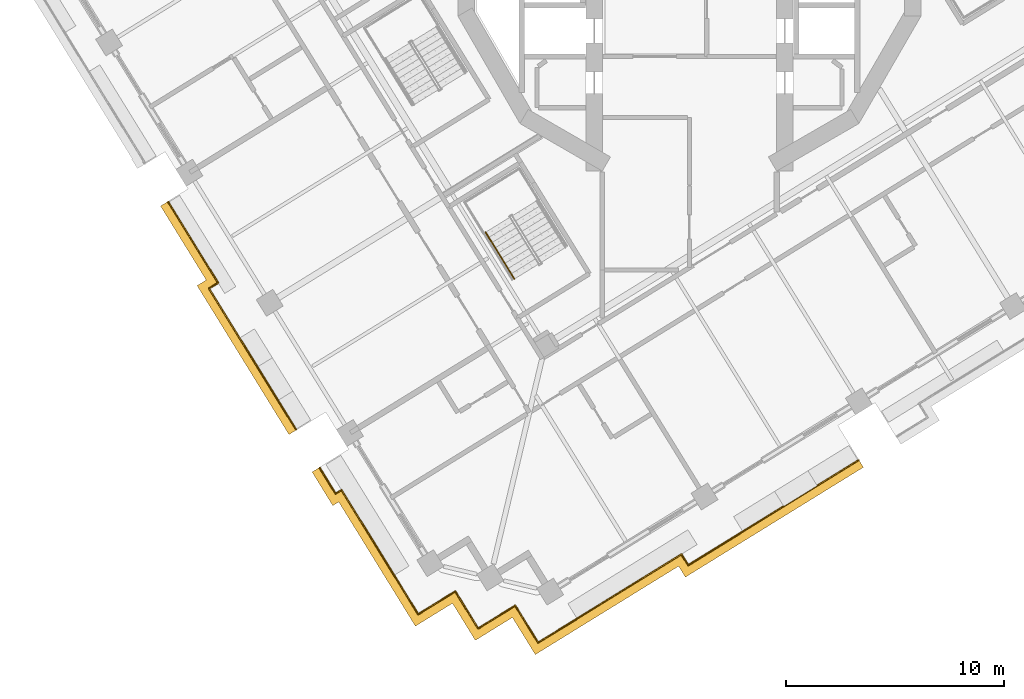
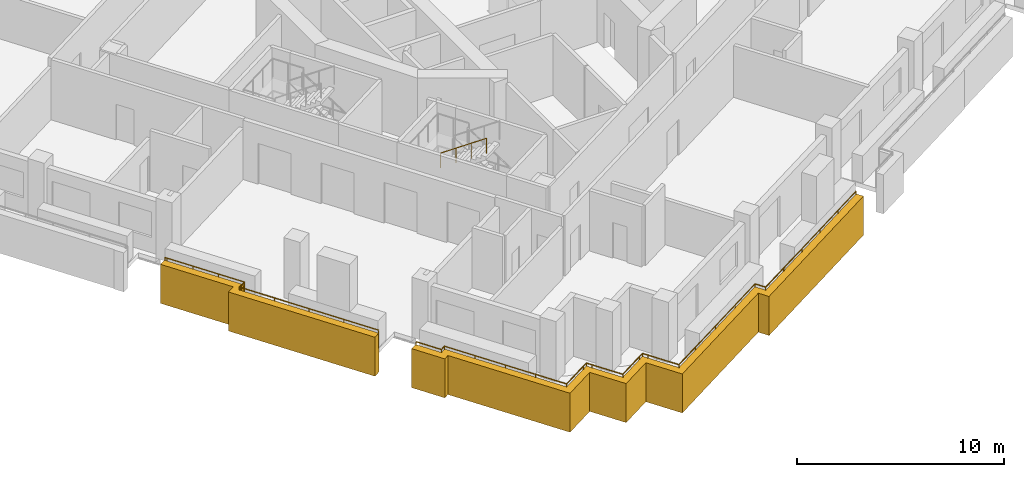
# One storey, part 12 of 20: 4 railings, 2 coverings.
"""IFC4 building model written with IfcOpenShell, lengths in metres."""

from ifc_helpers import new_model, si_unit, direction, frame, origin, origin_2d, place, context, subcontext, project, spatial, polyline, circle, outline, extrude, material, type_object, element, save


model = new_model("IFC4")

# Units and contexts
model_context = context("Model", 3, precision=1e-05, world=origin(), true_north=direction((0.0, 1.0)))
body_context = subcontext(model_context, "Body", "Model", "MODEL_VIEW")
ifc_project = project(units=[si_unit("LENGTHUNIT", "METRE"), si_unit("AREAUNIT", "SQUARE_METRE"), si_unit("VOLUMEUNIT", "CUBIC_METRE"), si_unit("PLANEANGLEUNIT", "RADIAN"), si_unit("MASSUNIT", "GRAM", prefix="KILO")], contexts=[model_context])

# Site, building, storey
site_placement = place(None, origin())
site = spatial("IfcSite", under=ifc_project, at=site_placement, CompositionType="ELEMENT")
building_placement = place(site_placement, origin())
building = spatial("IfcBuilding", under=site, at=building_placement, Name="Cantera Rosa Tower", CompositionType="ELEMENT")
storey_placement = place(building_placement, frame((0.0, 0.0, 159.0)))
storey = spatial("IfcBuildingStorey", under=building, at=storey_placement, Name="L34", CompositionType="ELEMENT", Elevation=159.0)

# Railings
ifc_material_1 = material(Name="Stainless steel and laminated glass", Category="steel")
railing_type_1 = type_object("IfcRailingType", Name="GUARD 1100", PredefinedType="BALUSTRADE", material=ifc_material_1)
railing_1_placement = place(storey_placement, frame((-12.44873046875, -30.2958984375, 0.0)))
element("IfcRailing", 1, at=railing_1_placement, inside=storey, type_object=railing_type_1, Name="GUARD L34-1", PredefinedType="BALUSTRADE", context=body_context, shape_type="SweptSolid", body=[
    extrude(circle(Radius=0.030029296875, at=origin_2d()), frame((0.0, 0.0, 1.070068359375), z_axis=(-0.524994468487, 0.851105638601, 0.0), x_axis=(-0.851105638601, -0.524994468487, 0.0)), (0.0, 0.0, 1.0), 1.7001953125),
    extrude(circle(Radius=0.030029296875, at=origin_2d()), frame((-0.892578125, 1.447021484375, 1.070068359375), z_axis=(-0.524980117429, 0.851114490715, 0.0), x_axis=(-0.851114490715, -0.524980117429, 0.0)), (0.0, 0.0, 1.0), 4.998291015625),
    extrude(circle(Radius=0.030029296875, at=origin_2d()), frame((-3.5166015625, 5.701171875, 1.070068359375), z_axis=(-0.851266981661, -0.524732813852, 0.0), x_axis=(0.524732813852, -0.851266981661, 0.0)), (0.0, 0.0, 1.0), 0.321533203125),
    extrude(circle(Radius=0.030029296875, at=origin_2d()), frame((-3.790283203125, 5.532470703125, 1.070068359375), z_axis=(-0.524958614505, 0.851127753664, 0.0), x_axis=(-0.851127753664, -0.524958614505, 0.0)), (0.0, 0.0, 1.0), 1.391357421875),
    extrude(circle(Radius=0.02490234375, at=origin_2d()), origin(), (0.0, 0.0, 1.0), 1.0400390625),
    extrude(circle(Radius=0.02490234375, at=origin_2d()), frame((-0.892578125, 1.447021484375, 0.0)), (0.0, 0.0, 1.0), 1.0400390625),
    extrude(circle(Radius=0.02490234375, at=origin_2d()), frame((-1.767333984375, 2.864990234375, 0.0)), (0.0, 0.0, 1.0), 1.0400390625),
    extrude(circle(Radius=0.02490234375, at=origin_2d()), frame((-2.641845703125, 4.283203125, 0.0)), (0.0, 0.0, 1.0), 1.0400390625),
    extrude(circle(Radius=0.02490234375, at=origin_2d()), frame((-3.5166015625, 5.701171875, 0.0)), (0.0, 0.0, 1.0), 1.0400390625),
    extrude(circle(Radius=0.02490234375, at=origin_2d()), frame((-3.790283203125, 5.532470703125, 0.0)), (0.0, 0.0, 1.0), 1.0400390625),
    extrude(circle(Radius=0.02490234375, at=origin_2d()), frame((-4.520751953125, 6.716796875, 0.0)), (0.0, 0.0, 1.0), 1.0400390625),
])
railing_2_placement = place(storey_placement, frame((7.758056640625, -23.225830078125, 0.0)))
element("IfcRailing", 2, at=railing_2_placement, inside=storey, type_object=railing_type_1, Name="GUARD L34-2", PredefinedType="BALUSTRADE", context=body_context, shape_type="SweptSolid", body=[
    extrude(circle(Radius=0.030029296875, at=origin_2d()), frame((0.0, 0.0, 1.070068359375), z_axis=(-0.851116410295, -0.524977005331, 0.0), x_axis=(0.524977005331, -0.851116410295, 0.0)), (0.0, 0.0, 1.0), 9.1806640625),
    extrude(circle(Radius=0.030029296875, at=origin_2d()), frame((-7.813720703125, -4.819580078125, 1.070068359375), z_axis=(-0.525272898225, 0.850933829619, 0.0), x_axis=(-0.850933829619, -0.525272898225, 0.0)), (0.0, 0.0, 1.0), 0.5908203125),
    extrude(circle(Radius=0.030029296875, at=origin_2d()), frame((-8.1240234375, -4.31689453125, 1.070068359375), z_axis=(-0.851111466066, -0.524985021054, 0.0), x_axis=(0.524985021054, -0.851111466066, 0.0)), (0.0, 0.0, 1.0), 6.029296875),
    extrude(circle(Radius=0.030029296875, at=origin_2d()), frame((-13.255615234375, -7.482177734375, 1.070068359375), z_axis=(-0.851130227454, -0.524954603669, 0.0), x_axis=(0.524954603669, -0.851130227454, 0.0)), (0.0, 0.0, 1.0), 1.699951171875),
    extrude(circle(Radius=0.030029296875, at=origin_2d()), frame((-14.702392578125, -8.37451171875, 1.070068359375), z_axis=(-0.525058638144, 0.851066052965, 0.0), x_axis=(-0.851066052965, -0.525058638144, 0.0)), (0.0, 0.0, 1.0), 1.699951171875),
    extrude(circle(Radius=0.030029296875, at=origin_2d()), frame((-15.594970703125, -6.927734375, 1.070068359375), z_axis=(-0.524869051004, 0.85118298814, 0.0), x_axis=(-0.85118298814, -0.524869051004, 0.0)), (0.0, 0.0, 1.0), 0.300048828125),
    extrude(circle(Radius=0.030029296875, at=origin_2d()), frame((-15.75244140625, -6.67236328125, 1.070068359375), z_axis=(-0.85118298814, -0.524869051004, 0.0), x_axis=(0.524869051004, -0.85118298814, 0.0)), (0.0, 0.0, 1.0), 0.300048828125),
    extrude(circle(Radius=0.030029296875, at=origin_2d()), frame((-16.0078125, -6.829833984375, 1.070068359375), z_axis=(-0.851066052965, -0.525058638144, 0.0), x_axis=(0.525058638144, -0.851066052965, 0.0)), (0.0, 0.0, 1.0), 1.699951171875),
    extrude(circle(Radius=0.030029296875, at=origin_2d()), frame((-17.45458984375, -7.722412109375, 1.070068359375), z_axis=(-0.524994468487, 0.851105638601, 0.0), x_axis=(-0.851105638601, -0.524994468487, 0.0)), (0.0, 0.0, 1.0), 1.7001953125),
    extrude(circle(Radius=0.030029296875, at=origin_2d()), frame((-18.34716796875, -6.275390625, 1.070068359375), z_axis=(-0.524869051004, 0.85118298814, 0.0), x_axis=(-0.85118298814, -0.524869051004, 0.0)), (0.0, 0.0, 1.0), 0.300048828125),
    extrude(circle(Radius=0.030029296875, at=origin_2d()), frame((-18.504638671875, -6.02001953125, 1.070068359375), z_axis=(-0.85118298814, -0.524869051004, 0.0), x_axis=(0.524869051004, -0.85118298814, 0.0)), (0.0, 0.0, 1.0), 0.300048828125),
    extrude(circle(Radius=0.030029296875, at=origin_2d()), frame((-18.760009765625, -6.177490234375, 1.070068359375), z_axis=(-0.851066052965, -0.525058638144, 0.0), x_axis=(0.525058638144, -0.851066052965, 0.0)), (0.0, 0.0, 1.0), 1.699951171875),
    extrude(circle(Radius=0.02490234375, at=origin_2d()), origin(), (0.0, 0.0, 1.0), 1.0400390625),
    extrude(circle(Radius=0.02490234375, at=origin_2d()), frame((-1.562744140625, -0.9638671875, 0.0)), (0.0, 0.0, 1.0), 1.0400390625),
    extrude(circle(Radius=0.02490234375, at=origin_2d()), frame((-3.12548828125, -1.927734375, 0.0)), (0.0, 0.0, 1.0), 1.0400390625),
    extrude(circle(Radius=0.02490234375, at=origin_2d()), frame((-4.688232421875, -2.891845703125, 0.0)), (0.0, 0.0, 1.0), 1.0400390625),
    extrude(circle(Radius=0.02490234375, at=origin_2d()), frame((-6.2509765625, -3.855712890625, 0.0)), (0.0, 0.0, 1.0), 1.0400390625),
    extrude(circle(Radius=0.02490234375, at=origin_2d()), frame((-7.813720703125, -4.819580078125, 0.0)), (0.0, 0.0, 1.0), 1.0400390625),
    extrude(circle(Radius=0.02490234375, at=origin_2d()), frame((-8.1240234375, -4.31689453125, 0.0)), (0.0, 0.0, 1.0), 1.0400390625),
    extrude(circle(Radius=0.02490234375, at=origin_2d()), frame((-9.83447265625, -5.3720703125, 0.0)), (0.0, 0.0, 1.0), 1.0400390625),
    extrude(circle(Radius=0.02490234375, at=origin_2d()), frame((-11.545166015625, -6.427001953125, 0.0)), (0.0, 0.0, 1.0), 1.0400390625),
    extrude(circle(Radius=0.02490234375, at=origin_2d()), frame((-13.255615234375, -7.482177734375, 0.0)), (0.0, 0.0, 1.0), 1.0400390625),
    extrude(circle(Radius=0.02490234375, at=origin_2d()), frame((-14.702392578125, -8.37451171875, 0.0)), (0.0, 0.0, 1.0), 1.0400390625),
    extrude(circle(Radius=0.02490234375, at=origin_2d()), frame((-15.594970703125, -6.927734375, 0.0)), (0.0, 0.0, 1.0), 1.0400390625),
    extrude(circle(Radius=0.02490234375, at=origin_2d()), frame((-15.75244140625, -6.67236328125, 0.0)), (0.0, 0.0, 1.0), 1.0400390625),
    extrude(circle(Radius=0.02490234375, at=origin_2d()), frame((-16.0078125, -6.829833984375, 0.0)), (0.0, 0.0, 1.0), 1.0400390625),
    extrude(circle(Radius=0.02490234375, at=origin_2d()), frame((-17.45458984375, -7.722412109375, 0.0)), (0.0, 0.0, 1.0), 1.0400390625),
    extrude(circle(Radius=0.02490234375, at=origin_2d()), frame((-18.34716796875, -6.275390625, 0.0)), (0.0, 0.0, 1.0), 1.0400390625),
    extrude(circle(Radius=0.02490234375, at=origin_2d()), frame((-18.504638671875, -6.02001953125, 0.0)), (0.0, 0.0, 1.0), 1.0400390625),
    extrude(circle(Radius=0.02490234375, at=origin_2d()), frame((-18.760009765625, -6.177490234375, 0.0)), (0.0, 0.0, 1.0), 1.0400390625),
    extrude(circle(Radius=0.02490234375, at=origin_2d()), frame((-20.206787109375, -7.070068359375, 0.0)), (0.0, 0.0, 1.0), 1.0400390625),
])
railing_3_placement = place(storey_placement, frame((-18.051025390625, -21.825927734375, 0.0)))
element("IfcRailing", 3, at=railing_3_placement, inside=storey, type_object=railing_type_1, Name="GUARD L34-3", PredefinedType="BALUSTRADE", context=body_context, shape_type="SweptSolid", body=[
    extrude(circle(Radius=0.030029296875, at=origin_2d()), frame((0.0, 0.0, 1.070068359375), z_axis=(-0.524975843748, 0.85111712677, 0.0), x_axis=(-0.85111712677, -0.524975843748, 0.0)), (0.0, 0.0, 1.0), 7.611572265625),
    extrude(circle(Radius=0.030029296875, at=origin_2d()), frame((-3.995849609375, 6.478271484375, 1.070068359375), z_axis=(0.85092708012, 0.525283832151, 0.0), x_axis=(-0.525283832151, 0.85092708012, 0.0)), (0.0, 0.0, 1.0), 0.149169921875),
    extrude(circle(Radius=0.030029296875, at=origin_2d()), frame((-3.868896484375, 6.556640625, 1.070068359375), z_axis=(0.832050294338, 0.554700196225, 0.0), x_axis=(-0.554700196225, 0.832050294338, 0.0)), (0.0, 0.0, 1.0), 0.0009765625),
    extrude(circle(Radius=0.030029296875, at=origin_2d()), frame((-3.8681640625, 6.55712890625, 1.070068359375), z_axis=(0.851359646805, 0.524582454712, 0.0), x_axis=(-0.524582454712, 0.851359646805, 0.0)), (0.0, 0.0, 1.0), 0.3369140625),
    extrude(circle(Radius=0.030029296875, at=origin_2d()), frame((-3.581298828125, 6.73388671875, 1.070068359375), z_axis=(0.773957299203, 0.633237790257, 0.0), x_axis=(-0.633237790257, 0.773957299203, 0.0)), (0.0, 0.0, 1.0), 0.00341796875),
    extrude(circle(Radius=0.030029296875, at=origin_2d()), frame((-3.57861328125, 6.736083984375, 1.070068359375), z_axis=(-0.503871025524, 0.863778900898, 0.0), x_axis=(-0.863778900898, -0.503871025524, 0.0)), (0.0, 0.0, 1.0), 0.00341796875),
    extrude(circle(Radius=0.030029296875, at=origin_2d()), frame((-3.580322265625, 6.739013671875, 1.070068359375), z_axis=(-0.524953984932, 0.851130609075, 0.0), x_axis=(-0.851130609075, -0.524953984932, 0.0)), (0.0, 0.0, 1.0), 4.24462890625),
    extrude(circle(Radius=0.030029296875, at=origin_2d()), frame((-5.80859375, 10.351806640625, 1.070068359375), z_axis=(-0.4472135955, 0.894427191, 0.0), x_axis=(-0.894427191, -0.4472135955, 0.0)), (0.0, 0.0, 1.0), 0.00048828125),
    extrude(circle(Radius=0.030029296875, at=origin_2d()), frame((-5.808837890625, 10.352294921875, 1.070068359375), z_axis=(-0.524666827089, 0.851307653292, 0.0), x_axis=(-0.851307653292, -0.524666827089, 0.0)), (0.0, 0.0, 1.0), 0.11962890625),
    extrude(circle(Radius=0.02490234375, at=origin_2d()), origin(), (0.0, 0.0, 1.0), 1.0400390625),
    extrude(circle(Radius=0.02490234375, at=origin_2d()), frame((-0.9990234375, 1.61962890625, 0.0)), (0.0, 0.0, 1.0), 1.0400390625),
    extrude(circle(Radius=0.02490234375, at=origin_2d()), frame((-1.998046875, 3.2392578125, 0.0)), (0.0, 0.0, 1.0), 1.0400390625),
    extrude(circle(Radius=0.02490234375, at=origin_2d()), frame((-2.996826171875, 4.858642578125, 0.0)), (0.0, 0.0, 1.0), 1.0400390625),
    extrude(circle(Radius=0.02490234375, at=origin_2d()), frame((-3.995849609375, 6.478271484375, 0.0)), (0.0, 0.0, 1.0), 1.0400390625),
    extrude(circle(Radius=0.02490234375, at=origin_2d()), frame((-3.868896484375, 6.556640625, 0.0)), (0.0, 0.0, 1.0), 1.0400390625),
    extrude(circle(Radius=0.02490234375, at=origin_2d()), frame((-3.8681640625, 6.55712890625, 0.0)), (0.0, 0.0, 1.0), 1.0400390625),
    extrude(circle(Radius=0.02490234375, at=origin_2d()), frame((-3.581298828125, 6.73388671875, 0.0)), (0.0, 0.0, 1.0), 1.0400390625),
    extrude(circle(Radius=0.02490234375, at=origin_2d()), frame((-3.57861328125, 6.736083984375, 0.0)), (0.0, 0.0, 1.0), 1.0400390625),
    extrude(circle(Radius=0.02490234375, at=origin_2d()), frame((-3.580322265625, 6.739013671875, 0.0)), (0.0, 0.0, 1.0), 1.0400390625),
    extrude(circle(Radius=0.02490234375, at=origin_2d()), frame((-4.322998046875, 7.943359375, 0.0)), (0.0, 0.0, 1.0), 1.0400390625),
    extrude(circle(Radius=0.02490234375, at=origin_2d()), frame((-5.06591796875, 9.1474609375, 0.0)), (0.0, 0.0, 1.0), 1.0400390625),
    extrude(circle(Radius=0.02490234375, at=origin_2d()), frame((-5.80859375, 10.351806640625, 0.0)), (0.0, 0.0, 1.0), 1.0400390625),
    extrude(circle(Radius=0.02490234375, at=origin_2d()), frame((-5.808837890625, 10.352294921875, 0.0)), (0.0, 0.0, 1.0), 1.0400390625),
    extrude(circle(Radius=0.02490234375, at=origin_2d()), frame((-5.87158203125, 10.4541015625, 0.0)), (0.0, 0.0, 1.0), 1.0400390625),
])
ifc_material_2 = material(Name="Steel S355J2 (EN 10025-2)", Category="steel")
railing_type_2 = type_object("IfcRailingType", Name="STAIR HANDRAIL 900", PredefinedType="HANDRAIL", material=ifc_material_2)
railing_4_placement = place(storey_placement, frame((-9.358154296875, -12.7685546875, 2.090087890625)))
element("IfcRailing", 4, at=railing_4_placement, inside=storey, type_object=railing_type_2, Name="L34 ST-33 stair handrail 2", PredefinedType="HANDRAIL", context=body_context, shape_type="SweptSolid", body=[
    extrude(circle(Radius=0.02392578125, at=origin_2d()), frame((0.0, 0.0, 0.8759765625), z_axis=(0.434362572038, -0.70429590169, 0.561512634654), x_axis=(0.851145618652, 0.524929648476, 0.0)), (0.0, 0.0, 1.0), 3.045166015625),
    extrude(circle(Radius=0.02099609375, at=origin_2d()), origin(), (0.0, 0.0, 1.0), 0.851806640625),
    extrude(circle(Radius=0.02099609375, at=origin_2d()), frame((0.44091796875, -0.71484375, 0.570068359375)), (0.0, 0.0, 1.0), 0.851806640625),
    extrude(circle(Radius=0.02099609375, at=origin_2d()), frame((0.8818359375, -1.429931640625, 1.139892578125)), (0.0, 0.0, 1.0), 0.851806640625),
    extrude(circle(Radius=0.02099609375, at=origin_2d()), frame((1.32275390625, -2.144775390625, 1.7099609375)), (0.0, 0.0, 1.0), 0.851806640625),
])

# Coverings
ifc_material_3 = material(Name="Cantera stone", Category="masonry")
covering_type = type_object("IfcCoveringType", Name="TRAY FASCIA 400", PredefinedType="CLADDING", material=ifc_material_3)
covering_1_placement = place(storey_placement, frame((0.0, 0.0, -1.39990234375)))
element("IfcCovering", 5, at=covering_1_placement, inside=storey, type_object=covering_type, Name="TRAY FASCIA L34-02", PredefinedType="CLADDING", context=body_context, shape_type="SweptSolid", body=[
    extrude(outline(polyline([(-22.59716796875, -15.217041015625), (-22.1796875, -14.95947265625), (-24.273681640625, -11.56494140625), (-23.93310546875, -11.35498046875), (-21.629150390625, -15.090087890625), (-22.046875, -15.34765625), (-18.04052734375, -21.8427734375), (-18.380859375, -22.052734375), (-22.59716796875, -15.217041015625)])), origin(), (0.0, 0.0, 1.0), 2.2998046875),
])
covering_2_placement = place(storey_placement, frame((0.0, 0.0, -1.39990234375)))
element("IfcCovering", 6, at=covering_2_placement, inside=storey, type_object=covering_type, Name="TRAY FASCIA L34-04", PredefinedType="CLADDING", context=body_context, shape_type="SweptSolid", body=[
    extrude(outline(polyline([(-0.186279296875, -28.595947265625), (-0.496337890625, -28.09326171875), (-5.28759765625, -31.04833984375), (-7.074951171875, -32.15087890625), (-8.124755859375, -30.44873046875), (-9.8271484375, -31.49853515625), (-10.876953125, -29.79638671875), (-12.579345703125, -30.84619140625), (-13.681640625, -29.05908203125), (-16.095703125, -25.14501953125), (-16.369384765625, -25.31396484375), (-17.3203125, -23.77197265625), (-16.97998046875, -23.56201171875), (-16.239013671875, -24.763427734375), (-15.96533203125, -24.5947265625), (-13.34130859375, -28.848876953125), (-12.44873046875, -30.2958984375), (-11.001953125, -29.4033203125), (-10.74658203125, -29.245849609375), (-10.589111328125, -29.501220703125), (-9.696533203125, -30.9482421875), (-8.249755859375, -30.0556640625), (-7.994384765625, -29.898193359375), (-7.8369140625, -30.153564453125), (-6.9443359375, -31.600341796875), (-5.49755859375, -30.7080078125), (-0.365966796875, -27.542724609375), (-0.0556640625, -28.04541015625), (7.775146484375, -23.21533203125), (7.985107421875, -23.5556640625), (-0.186279296875, -28.595947265625)])), origin(), (0.0, 0.0, 1.0), 2.2998046875),
])

save(model, "model.ifc")
